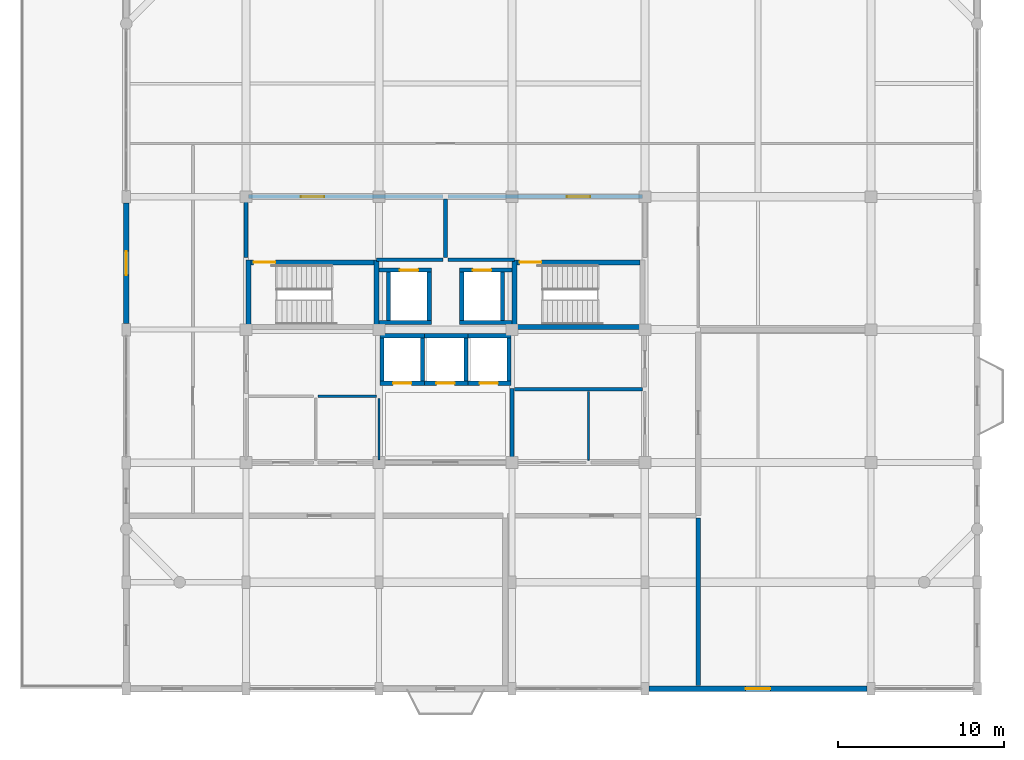
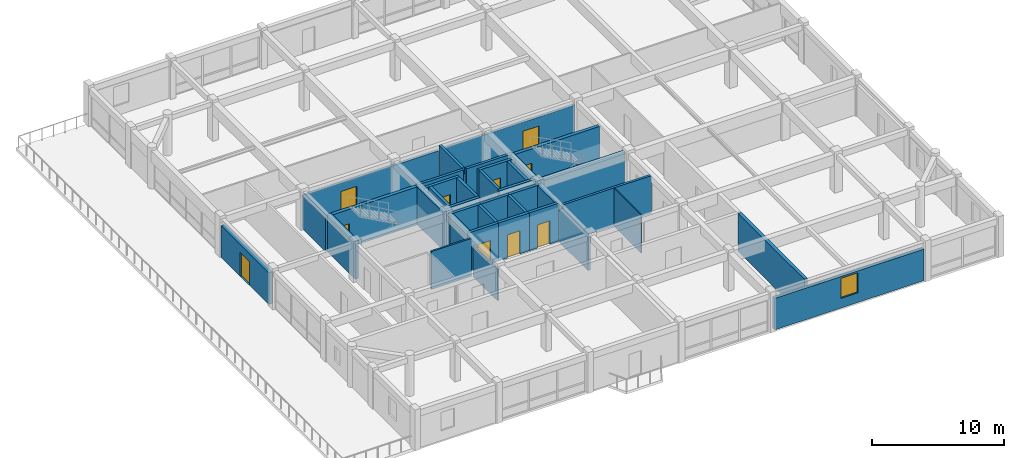
# One storey, part 10 of 13: 38 walls, 10 doors, 1 window, 11 openings.
"""IFC4 building model written with IfcOpenShell, lengths in metres."""

import ifcopenshell
import ifcopenshell.guid

model = None  # the IFC model being written
_history = None  # IfcOwnerHistory: only IFC2X3 demands one
_inside = {}  # id of a spatial element -> (the spatial element, [elements in it])
_under = {}  # id of a project, library or spatial element -> (it, [spatial elements below it])
_declared = {}  # id of a project -> (the project, [libraries it declares])
_typed = {}  # id of a type object -> (the type object, [elements of that type])
_made_of = {}  # id of a material, layer set ... -> (it, [elements and type objects made of it])


def new_model(schema):
    """Start an empty IFC model of exactly this schema.

    Asked for "IFC4X3", IfcOpenShell would pick the latest addendum, in which some entities
    have other attributes; the version numbers below select the first issue.
    IFC2X3 requires an IfcOwnerHistory on every rooted entity: one is made here for all.
    """
    global model, _history
    if schema == "IFC4X3":
        model = ifcopenshell.file(schema_version=(4, 3, 0, 0))
    else:
        model = ifcopenshell.file(schema=schema)
    _inside.clear()
    _under.clear()
    _declared.clear()
    _typed.clear()
    _made_of.clear()
    _history = None
    if model.schema == "IFC2X3":
        org = make("IfcOrganization", Name="unknown")
        user = make(
            "IfcPersonAndOrganization",
            ThePerson=make("IfcPerson", FamilyName="unknown"),
            TheOrganization=org,
        )
        app = make(
            "IfcApplication",
            ApplicationDeveloper=org,
            Version="unknown",
            ApplicationFullName="unknown",
            ApplicationIdentifier="unknown",
        )
        _history = make(
            "IfcOwnerHistory",
            OwningUser=user,
            OwningApplication=app,
            ChangeAction="ADDED",
            CreationDate=0,
        )
    return model


def make(cls, **values):
    """One entity of the class cls with the attributes given. An attribute that is None is left unset."""
    return model.create_entity(
        cls, **{name: value for name, value in values.items() if value is not None}
    )


def rooted(cls, **values):
    """An entity with a GlobalId (a new one), such as an element, a storey or a relation."""
    return make(cls, GlobalId=ifcopenshell.guid.new(), OwnerHistory=_history, **values)


def si_unit(unit_type, name, prefix=None):
    """IfcSIUnit, for example si_unit("LENGTHUNIT", "METRE", prefix="MILLI")."""
    return make("IfcSIUnit", UnitType=unit_type, Prefix=prefix, Name=name)


def assignment(units):
    """IfcUnitAssignment: the units of a project."""
    return None if units is None else make("IfcUnitAssignment", Units=units)


def point(xyz):
    """IfcCartesianPoint."""
    return None if xyz is None else make("IfcCartesianPoint", Coordinates=xyz)


def direction(xyz):
    """IfcDirection."""
    return None if xyz is None else make("IfcDirection", DirectionRatios=xyz)


def frame(location, z_axis=None, x_axis=None):
    """IfcAxis2Placement3D, a coordinate frame: its origin and axes. An axis left out is left unset."""
    return make(
        "IfcAxis2Placement3D",
        Location=point(location),
        Axis=direction(z_axis),
        RefDirection=direction(x_axis),
    )


def frame_2d(location, x_axis=None):
    """IfcAxis2Placement2D, a coordinate frame in the plane: its origin and x axis."""
    return make(
        "IfcAxis2Placement2D", Location=point(location), RefDirection=direction(x_axis)
    )


def origin():
    """The frame at (0, 0, 0) with its axes left unset."""
    return frame((0.0, 0.0, 0.0))


def place(relative_to, where):
    """IfcLocalPlacement: puts the frame where relative to a parent placement (None: the world)."""
    return make(
        "IfcLocalPlacement", PlacementRelTo=relative_to, RelativePlacement=where
    )


def context(
    kind, dimensions, precision=None, world=None, true_north=None, identifier=None
):
    """IfcGeometricRepresentationContext, for example the 3D "Model" context."""
    return make(
        "IfcGeometricRepresentationContext",
        ContextIdentifier=identifier,
        ContextType=kind,
        CoordinateSpaceDimension=dimensions,
        Precision=precision,
        WorldCoordinateSystem=world,
        TrueNorth=true_north,
    )


def subcontext(parent, identifier, kind, view, scale=None):
    """IfcGeometricRepresentationSubContext, for example "Body" below "Model"."""
    return make(
        "IfcGeometricRepresentationSubContext",
        ContextIdentifier=identifier,
        ContextType=kind,
        ParentContext=parent,
        TargetScale=scale,
        TargetView=view,
    )


def project(units=None, contexts=None):
    """IfcProject with its units and contexts."""
    return rooted(
        "IfcProject",
        Name="project",
        RepresentationContexts=contexts,
        UnitsInContext=assignment(units),
    )


def spatial(cls, under=None, at=None, **own):
    """A site, building, storey or space (cls), placed at a placement, below another one or the project."""
    s = rooted(cls, ObjectPlacement=at, **own)
    if under is not None:
        _under.setdefault(under.id(), (under, []))[1].append(s)
    return s


def profile(cls, at=None, kind="AREA", **sizes):
    """A parametric profile (cls). Its sizes go by their IFC names, for example OverallWidth=200.0."""
    return make(cls, ProfileType=kind, Position=at, **sizes)


def rectangle(**sizes):
    """IfcRectangleProfileDef."""
    return profile("IfcRectangleProfileDef", **sizes)


def extrude(swept, where, along, depth):
    """IfcExtrudedAreaSolid: the profile swept, set in the frame where, extruded along a direction by depth."""
    return make(
        "IfcExtrudedAreaSolid",
        SweptArea=swept,
        Position=where,
        ExtrudedDirection=direction(along),
        Depth=depth,
    )


def shape(context_of_items, identifier, shape_type, items):
    """IfcShapeRepresentation: the items that make up one representation, for example the "Body"."""
    return make(
        "IfcShapeRepresentation",
        ContextOfItems=context_of_items,
        RepresentationIdentifier=identifier,
        RepresentationType=shape_type,
        Items=items,
    )


def material(Name=None, Category=None):
    """IfcMaterial."""
    return make("IfcMaterial", Name=Name, Category=Category)


def layer(
    of_material, thickness, ventilated=None, Name=None, Category=None, Priority=None
):
    """IfcMaterialLayer: one layer of a wall or slab, of a material (None: an air gap)."""
    return make(
        "IfcMaterialLayer",
        Material=of_material,
        LayerThickness=thickness,
        IsVentilated=ventilated,
        Name=Name,
        Category=Category,
        Priority=Priority,
    )


def layer_set(layers, Name=None):
    """IfcMaterialLayerSet."""
    return make("IfcMaterialLayerSet", MaterialLayers=layers, LayerSetName=Name)


def made_of(thing, what):
    """Note that an element or type object is made of a material, layer set ...; save() writes the relation."""
    if what is not None:
        _made_of.setdefault(what.id(), (what, []))[1].append(thing)
    return thing


def type_object(cls, material=None, **own):
    """A type object (cls), such as IfcWallType, which elements share."""
    return made_of(rooted(cls, **own), material)


def element(
    cls,
    number,
    at=None,
    inside=None,
    cuts=None,
    type_object=None,
    material=None,
    context=None,
    identifier="Body",
    shape_type=None,
    held_by="IfcProductDefinitionShape",
    body=None,
    shapes=None,
    **own,
):
    """One element of the class cls, such as IfcWall. Its Tag is "e" and its number.

    at: its placement. inside: the storey or other place that contains it. cuts: it is an
    opening in that element (IfcRelVoidsElement). A single representation is given by context,
    identifier, shape_type and body (its items); several are given by shapes. held_by: the class
    of the entity that holds the representations. save() writes the other relations.
    """
    e = rooted(cls, Tag="e%d" % number, ObjectPlacement=at, **own)
    if body is not None:
        shapes = [shape(context, identifier, shape_type, body)]
    if shapes is not None:
        e.Representation = make(held_by, Representations=shapes)
    if inside is not None:
        _inside.setdefault(inside.id(), (inside, []))[1].append(e)
    if cuts is not None:
        rooted(
            "IfcRelVoidsElement", RelatingBuildingElement=cuts, RelatedOpeningElement=e
        )
    if type_object is not None:
        _typed.setdefault(type_object.id(), (type_object, []))[1].append(e)
    return made_of(e, material)


def fill(opening, filler):
    """IfcRelFillsElement: the door or window that sits in an opening."""
    return rooted(
        "IfcRelFillsElement",
        RelatingOpeningElement=opening,
        RelatedBuildingElement=filler,
    )


def aggregate(whole, parts):
    """IfcRelAggregates: a whole, such as a stair, and the parts it consists of."""
    return rooted("IfcRelAggregates", RelatingObject=whole, RelatedObjects=parts)


def save(model, path):
    """Write the relations noted so far, then the file.

    IfcRelAggregates (storeys below a building ...), IfcRelContainedInSpatialStructure (elements
    in a storey), IfcRelDefinesByType, IfcRelAssociatesMaterial and IfcRelDeclares: one each for
    every whole, place, type object, material and project.
    """
    for whole, parts in _under.values():
        aggregate(whole, parts)
    for where, things in _inside.values():
        rooted(
            "IfcRelContainedInSpatialStructure",
            RelatedElements=things,
            RelatingStructure=where,
        )
    for kind, things in _typed.values():
        rooted("IfcRelDefinesByType", RelatedObjects=things, RelatingType=kind)
    for what, things in _made_of.values():
        rooted("IfcRelAssociatesMaterial", RelatedObjects=things, RelatingMaterial=what)
    for by, libraries in _declared.values():
        rooted("IfcRelDeclares", RelatingContext=by, RelatedDefinitions=libraries)
    model.write(path)


model = new_model("IFC4")

# Units and contexts
model_context = context("Model", 3, precision=1e-05, world=origin(), true_north=direction((0.0, 1.0)))
body_context = subcontext(model_context, "Body", "Model", "MODEL_VIEW")
ifc_project = project(units=[si_unit("LENGTHUNIT", "METRE"), si_unit("AREAUNIT", "SQUARE_METRE"), si_unit("VOLUMEUNIT", "CUBIC_METRE"), si_unit("PLANEANGLEUNIT", "RADIAN"), si_unit("MASSUNIT", "GRAM", prefix="KILO")], contexts=[model_context])

# Site, building, storey
site_placement = place(None, origin())
site = spatial("IfcSite", under=ifc_project, at=site_placement, CompositionType="ELEMENT")
building_placement = place(site_placement, origin())
building = spatial("IfcBuilding", under=site, at=building_placement, Name="Vellmiral Cinema and Media Centre", CompositionType="ELEMENT")
storey_placement = place(building_placement, frame((0.0, 0.0, 39.5)))
storey = spatial("IfcBuildingStorey", under=building, at=storey_placement, Name="L09", CompositionType="ELEMENT", Elevation=39.5)

# Walls
ifc_material_1 = material(Name="Calcium-Silicate Masonry Blockwork", Category="masonry")
ifc_layer_1 = layer(ifc_material_1, 0.10009765625, Name="Calcium-Silicate Masonry Blockwork", Category="masonry")
ifc_material_2 = material(Name="Mineral Wool Acoustic Insulation", Category="insulation")
ifc_layer_2 = layer(ifc_material_2, 0.090087890625, Name="Mineral Wool Acoustic Insulation", Category="insulation")
ifc_layer_3 = layer(ifc_material_1, 0.10009765625, Name="Calcium-Silicate Masonry Blockwork", Category="masonry")
ifc_layer_set_1 = layer_set([ifc_layer_1, ifc_layer_2, ifc_layer_3], Name="Calcium-Silicate Masonry Blockwork")
wall_type_1 = type_object("IfcWallType", Name="WL-AC-290", PredefinedType="SOLIDWALL", material=ifc_layer_set_1)
wall_1_placement = place(storey_placement, frame((151.199951171875, 65.77490234375, 0.0), z_axis=(0.0, 0.0, 1.0), x_axis=(0.0, 1.0, 0.0)))
element("IfcWall", 1, at=wall_1_placement, inside=storey, type_object=wall_type_1, Name="Podcast Recording Studio South Wall E", PredefinedType="SOLIDWALL", context=body_context, shape_type="SweptSolid", body=[
    extrude(rectangle(XDim=10.085205078125, YDim=0.2900390625, at=frame_2d((5.04248046875, 0.0))), origin(), (0.0, 0.0, 1.0), 3.52001953125),
])
ifc_material_3 = material(Name="Concrete C40/50", Category="concrete")
ifc_layer_4 = layer(ifc_material_3, 0.2099609375, Name="Concrete C40/50")
ifc_layer_set_2 = layer_set([ifc_layer_4], Name="Concrete C40/50")
wall_type_2 = type_object("IfcWallType", Name="WL-COMP-210", PredefinedType="SOLIDWALL", material=ifc_layer_set_2)
wall_2_placement = place(storey_placement, frame((140.139892578125, 83.60009765625, 0.0), z_axis=(0.0, 0.0, 1.0), x_axis=(1.0, 0.0, 0.0)))
element("IfcWall", 2, at=wall_2_placement, inside=storey, type_object=wall_type_2, Name="Mechanical Riser and Duct Room Wall S", PredefinedType="SOLIDWALL", context=body_context, shape_type="SweptSolid", body=[
    extrude(rectangle(XDim=7.72021484375, YDim=0.2099609375, at=frame_2d((3.860107421875, 0.0))), origin(), (0.0, 0.0, 1.0), 3.52001953125),
])
ifc_material_4 = material(Name="Concrete C40/50", Category="concrete")
ifc_layer_5 = layer(ifc_material_4, 0.300048828125, Name="Concrete C40/50")
ifc_layer_set_3 = layer_set([ifc_layer_5], Name="Concrete C40/50")
wall_type_3 = type_object("IfcWallType", Name="WL-CORE-300", PredefinedType="SHEAR", material=ifc_layer_set_3)
for number, where, z_axis, x_axis, name in (
    (3, (124.14990234375, 87.199951171875, 0.0), (0.0, 0.0, 1.0), (0.0, 1.0, 0.0), "Stair Core Wall ST-T1 L09-W"),
    (4, (131.85009765625, 87.199951171875, 0.0), (0.0, 0.0, 1.0), (0.0, 1.0, 0.0), "Stair Core Wall ST-T1 L09-E"),
):
    element("IfcWall", number, at=place(storey_placement, frame(where, z_axis=z_axis, x_axis=x_axis)), inside=storey, type_object=wall_type_3, Name=name, PredefinedType="SHEAR", context=body_context, shape_type="SweptSolid", body=[
        extrude(rectangle(XDim=4.199951171875, YDim=0.300048828125, at=frame_2d((2.10009765625, 0.0))), origin(), (0.0, 0.0, 1.0), 3.52001953125),
    ])

# Wall, opening, door
wall_3_placement = place(storey_placement, frame((124.300048828125, 91.25, 0.0), z_axis=(0.0, 0.0, 1.0), x_axis=(1.0, 0.0, 0.0)))
wall_3 = element("IfcWall", 5, at=wall_3_placement, inside=storey, type_object=wall_type_3, Name="Stair Core Wall ST-T1 L09-N", PredefinedType="SHEAR", context=body_context, shape_type="SweptSolid", body=[
    extrude(rectangle(XDim=7.39990234375, YDim=0.300048828125, at=frame_2d((3.699951171875, 0.0))), origin(), (0.0, 0.0, 1.0), 3.52001953125),
])
opening_1_placement = place(wall_3_placement, frame((0.159912109375, 0.0, 0.0)))
opening_1 = element("IfcOpeningElement", 6, at=opening_1_placement, cuts=wall_3, Name="Opening D-FD30A", PredefinedType="OPENING", context=body_context, shape_type="SweptSolid", body=[
    extrude(rectangle(XDim=1.300048828125, YDim=2.179931640625, at=frame_2d((0.64990234375, 1.08984375))), frame((0.0, 0.162109375, 0.0), z_axis=(0.0, -1.0, 0.0), x_axis=(1.0, 0.0, 0.0)), (0.0, 0.0, 1.0), 0.323974609375),
])
ifc_material_5 = material(Name="Steel Stair Fire Door", Category="steel")
door_type_1 = type_object("IfcDoorType", Name="DR-FD30-1300x2180", OperationType="NOTDEFINED", PredefinedType="DOOR", material=ifc_material_5)
door_1_placement = place(opening_1_placement, frame((1.300048828125, 0.0, 0.0), z_axis=(0.0, 0.0, 1.0), x_axis=(-1.0, 0.0, 0.0)))
door_1 = element("IfcDoor", 7, at=door_1_placement, inside=storey, type_object=door_type_1, Name="Protected Stair Door ST-T1 L09", OperationType="SINGLE_SWING_RIGHT", OverallHeight=2.179931640625, OverallWidth=1.300048828125, PredefinedType="DOOR", context=body_context, shape_type="SweptSolid", body=[
    extrude(rectangle(XDim=1.300048828125, YDim=2.179931640625, at=frame_2d((0.64990234375, 1.08984375))), frame((0.0, 0.02490234375, 0.0), z_axis=(0.0, -1.0, 0.0), x_axis=(1.0, 0.0, 0.0)), (0.0, 0.0, 1.0), 0.050048828125),
])
fill(opening_1, door_1)

# Walls
wall_4_placement = place(storey_placement, frame((140.14990234375, 87.199951171875, 0.0), z_axis=(0.0, 0.0, 1.0), x_axis=(0.0, 1.0, 0.0)))
element("IfcWall", 8, at=wall_4_placement, inside=storey, type_object=wall_type_3, Name="Stair Core Wall ST-T2 L09-W", PredefinedType="SHEAR", context=body_context, shape_type="SweptSolid", body=[
    extrude(rectangle(XDim=4.199951171875, YDim=0.300048828125, at=frame_2d((2.10009765625, 0.0))), origin(), (0.0, 0.0, 1.0), 3.52001953125),
])
wall_5_placement = place(storey_placement, frame((140.300048828125, 87.35009765625, 0.0), z_axis=(0.0, 0.0, 1.0), x_axis=(1.0, 0.0, 0.0)))
element("IfcWall", 9, at=wall_5_placement, inside=storey, type_object=wall_type_3, Name="Stair Core Wall ST-T2 L09-S", PredefinedType="SHEAR", context=body_context, shape_type="SweptSolid", body=[
    extrude(rectangle(XDim=7.39990234375, YDim=0.300048828125, at=frame_2d((3.699951171875, 0.0))), origin(), (0.0, 0.0, 1.0), 3.52001953125),
])

# Wall, opening, door
wall_6_placement = place(storey_placement, frame((140.300048828125, 91.25, 0.0), z_axis=(0.0, 0.0, 1.0), x_axis=(1.0, 0.0, 0.0)))
wall_6 = element("IfcWall", 10, at=wall_6_placement, inside=storey, type_object=wall_type_3, Name="Stair Core Wall ST-T2 L09-N", PredefinedType="SHEAR", context=body_context, shape_type="SweptSolid", body=[
    extrude(rectangle(XDim=7.39990234375, YDim=0.300048828125, at=frame_2d((3.699951171875, 0.0))), origin(), (0.0, 0.0, 1.0), 3.52001953125),
])
opening_2_placement = place(wall_6_placement, frame((0.159912109375, 0.0, 0.0)))
opening_2 = element("IfcOpeningElement", 11, at=opening_2_placement, cuts=wall_6, Name="Opening D-FD30A", PredefinedType="OPENING", context=body_context, shape_type="SweptSolid", body=[
    extrude(rectangle(XDim=1.300048828125, YDim=2.179931640625, at=frame_2d((0.64990234375, 1.08984375))), frame((0.0, 0.162109375, 0.0), z_axis=(0.0, -1.0, 0.0), x_axis=(1.0, 0.0, 0.0)), (0.0, 0.0, 1.0), 0.323974609375),
])
door_2_placement = place(opening_2_placement, frame((1.300048828125, 0.0, 0.0), z_axis=(0.0, 0.0, 1.0), x_axis=(-1.0, 0.0, 0.0)))
door_2 = element("IfcDoor", 12, at=door_2_placement, inside=storey, type_object=door_type_1, Name="Protected Stair Door ST-T2 L09", OperationType="SINGLE_SWING_RIGHT", OverallHeight=2.179931640625, OverallWidth=1.300048828125, PredefinedType="DOOR", context=body_context, shape_type="SweptSolid", body=[
    extrude(rectangle(XDim=1.300048828125, YDim=2.179931640625, at=frame_2d((0.64990234375, 1.08984375))), frame((0.0, 0.02490234375, 0.0), z_axis=(0.0, -1.0, 0.0), x_axis=(1.0, 0.0, 0.0)), (0.0, 0.0, 1.0), 0.050048828125),
])
fill(opening_2, door_2)

# Wall, opening, window
ifc_material_6 = material(Name="Polychrome Glazed Ceramic Cladding", Category="masonry")
ifc_layer_6 = layer(ifc_material_6, 0.320068359375, Name="Polychrome Glazed Ceramic Cladding")
ifc_layer_set_4 = layer_set([ifc_layer_6], Name="Polychrome Glazed Ceramic Cladding")
wall_type_4 = type_object("IfcWallType", Name="WL-EXT-BRICK-320", PredefinedType="SOLIDWALL", material=ifc_layer_set_4)
wall_7_placement = place(storey_placement, frame((148.25, 65.60009765625, 0.0), z_axis=(0.0, 0.0, 1.0), x_axis=(1.0, 0.0, 0.0)))
wall_7 = element("IfcWall", 13, at=wall_7_placement, inside=storey, type_object=wall_type_4, Name="Exterior Facade Wall L09-005", PredefinedType="SOLIDWALL", context=body_context, shape_type="SweptSolid", body=[
    extrude(rectangle(XDim=13.10009765625, YDim=0.320068359375, at=frame_2d((6.550048828125, 0.0))), origin(), (0.0, 0.0, 1.0), 2.925048828125),
])
opening_3_placement = place(wall_7_placement, frame((5.800048828125, 0.0, 0.89990234375)))
opening_3 = element("IfcOpeningElement", 14, at=opening_3_placement, cuts=wall_7, Name="Opening WN-06", PredefinedType="OPENING", context=body_context, shape_type="SweptSolid", body=[
    extrude(rectangle(XDim=1.5, YDim=1.85009765625, at=frame_2d((0.75, 0.925048828125))), frame((0.0, 0.171875, 0.0), z_axis=(0.0, -1.0, 0.0), x_axis=(1.0, 0.0, 0.0)), (0.0, 0.0, 1.0), 0.343994140625),
])
ifc_material_7 = material(Name="Thermally Broken Aluminium Triple Glazing", Category="aluminium")
window_type = type_object("IfcWindowType", Name="WN-1500x1850", PartitioningType="SINGLE_PANEL", PredefinedType="WINDOW", material=ifc_material_7)
window_placement = place(opening_3_placement, origin())
window = element("IfcWindow", 15, at=window_placement, inside=storey, type_object=window_type, Name="Window L09-005", OverallHeight=1.85009765625, OverallWidth=1.5, PartitioningType="SINGLE_PANEL", PredefinedType="WINDOW", context=body_context, shape_type="SweptSolid", body=[
    extrude(rectangle(XDim=1.5, YDim=1.85009765625, at=frame_2d((0.75, 0.925048828125))), frame((0.0, 0.030029296875, 0.0), z_axis=(0.0, -1.0, 0.0), x_axis=(1.0, 0.0, 0.0)), (0.0, 0.0, 1.0), 0.06005859375),
])
fill(opening_3, window)

# Wall, opening, door
wall_8_placement = place(storey_placement, frame((116.800048828125, 94.824951171875, 0.0), z_axis=(0.0, 0.0, 1.0), x_axis=(0.0, -1.0, 0.0)))
wall_8 = element("IfcWall", 16, at=wall_8_placement, inside=storey, type_object=wall_type_4, Name="Exterior Facade Wall L09-025", PredefinedType="SOLIDWALL", context=body_context, shape_type="SweptSolid", body=[
    extrude(rectangle(XDim=7.25, YDim=0.320068359375, at=frame_2d((3.625, 0.0))), origin(), (0.0, 0.0, 1.0), 2.93994140625),
])
opening_4_placement = place(wall_8_placement, frame((2.89990234375, 0.0, 0.0)))
opening_4 = element("IfcOpeningElement", 17, at=opening_4_placement, cuts=wall_8, Name="Opening DE-05", PredefinedType="OPENING", context=body_context, shape_type="SweptSolid", body=[
    extrude(rectangle(XDim=1.449951171875, YDim=2.199951171875, at=frame_2d((0.72509765625, 1.10009765625))), frame((0.0, 0.171875, 0.0), z_axis=(0.0, -1.0, 0.0), x_axis=(1.0, 0.0, 0.0)), (0.0, 0.0, 1.0), 0.343994140625),
])
ifc_material_8 = material(Name="Thermally Broken Glazed Aluminium and Bronze Door", Category="aluminium")
door_type_2 = type_object("IfcDoorType", Name="DR-TER-1450x2200", OperationType="DOUBLE_DOOR_SINGLE_SWING", PredefinedType="DOOR", material=ifc_material_8)
door_3_placement = place(opening_4_placement, frame((1.449951171875, 0.0, 0.0), z_axis=(0.0, 0.0, 1.0), x_axis=(-1.0, 0.0, 0.0)))
door_3 = element("IfcDoor", 18, at=door_3_placement, inside=storey, type_object=door_type_2, Name="Podcast Garden Setback Terrace Door", OperationType="DOUBLE_DOOR_SINGLE_SWING", OverallHeight=2.199951171875, OverallWidth=1.449951171875, PredefinedType="DOOR", context=body_context, shape_type="SweptSolid", body=[
    extrude(rectangle(XDim=1.449951171875, YDim=2.199951171875, at=frame_2d((0.72509765625, 1.10009765625))), frame((0.0, 0.02490234375, 0.0), z_axis=(0.0, -1.0, 0.0), x_axis=(1.0, 0.0, 0.0)), (0.0, 0.0, 1.0), 0.050048828125),
])
fill(opening_4, door_3)

# Wall
ifc_material_9 = material(Name="Concrete C40/50", Category="concrete")
ifc_layer_7 = layer(ifc_material_9, 0.22998046875, Name="Concrete C40/50")
ifc_layer_set_5 = layer_set([ifc_layer_7], Name="Concrete C40/50")
wall_type_5 = type_object("IfcWallType", Name="WL-FFL-230", PredefinedType="SOLIDWALL", material=ifc_layer_set_5)
wall_9_placement = place(storey_placement, frame((131.840087890625, 91.39990234375, 0.0), z_axis=(0.0, 0.0, 1.0), x_axis=(1.0, 0.0, 0.0)))
element("IfcWall", 19, at=wall_9_placement, inside=storey, type_object=wall_type_5, Name="Firefighting Lobby West Wall S", PredefinedType="SOLIDWALL", context=body_context, shape_type="SweptSolid", body=[
    extrude(rectangle(XDim=4.02001953125, YDim=0.22998046875, at=frame_2d((2.010009765625, 0.0))), origin(), (0.0, 0.0, 1.0), 3.52001953125),
])

# Wall, opening, door
wall_10_placement = place(storey_placement, frame((124.139892578125, 95.199951171875, 0.0), z_axis=(0.0, 0.0, 1.0), x_axis=(1.0, 0.0, 0.0)))
wall_10 = element("IfcWall", 20, at=wall_10_placement, inside=storey, type_object=wall_type_5, Name="Firefighting Lobby West Wall N", PredefinedType="SOLIDWALL", context=body_context, shape_type="SweptSolid", body=[
    extrude(rectangle(XDim=11.72021484375, YDim=0.22998046875, at=frame_2d((5.860107421875, 0.0))), origin(), (0.0, 0.0, 1.0), 2.985107421875),
])
opening_5_placement = place(wall_10_placement, frame((3.159912109375, 0.0, 0.0)))
opening_5 = element("IfcOpeningElement", 21, at=opening_5_placement, cuts=wall_10, Name="Opening D-FD60B", PredefinedType="OPENING", context=body_context, shape_type="SweptSolid", body=[
    extrude(rectangle(XDim=1.39990234375, YDim=2.199951171875, at=frame_2d((0.699951171875, 1.10009765625))), frame((0.0, 0.126953125, 0.0), z_axis=(0.0, -1.0, 0.0), x_axis=(1.0, 0.0, 0.0)), (0.0, 0.0, 1.0), 0.25390625),
])
ifc_material_10 = material(Name="Steel Fire Door", Category="steel")
door_type_3 = type_object("IfcDoorType", Name="DR-FD60-1400x2200", OperationType="NOTDEFINED", PredefinedType="DOOR", material=ifc_material_10)
door_4_placement = place(opening_5_placement, frame((1.39990234375, 0.0, 0.0), z_axis=(0.0, 0.0, 1.0), x_axis=(-1.0, 0.0, 0.0)))
door_4 = element("IfcDoor", 22, at=door_4_placement, inside=storey, type_object=door_type_3, Name="Firefighting Lobby West Door", OperationType="SINGLE_SWING_RIGHT", OverallHeight=2.199951171875, OverallWidth=1.39990234375, PredefinedType="DOOR", context=body_context, shape_type="SweptSolid", body=[
    extrude(rectangle(XDim=1.39990234375, YDim=2.199951171875, at=frame_2d((0.699951171875, 1.10009765625))), frame((0.0, 0.02490234375, 0.0), z_axis=(0.0, -1.0, 0.0), x_axis=(1.0, 0.0, 0.0)), (0.0, 0.0, 1.0), 0.050048828125),
])
fill(opening_5, door_4)

# Walls
wall_11_placement = place(storey_placement, frame((124.0, 91.5400390625, 0.0), z_axis=(0.0, 0.0, 1.0), x_axis=(0.0, 1.0, 0.0)))
element("IfcWall", 23, at=wall_11_placement, inside=storey, type_object=wall_type_5, Name="Firefighting Lobby West Wall W", PredefinedType="SOLIDWALL", context=body_context, shape_type="SweptSolid", body=[
    extrude(rectangle(XDim=3.52001953125, YDim=0.22998046875, at=frame_2d((1.760009765625, 0.0))), origin(), (0.0, 0.0, 1.0), 3.0849609375),
])
wall_12_placement = place(storey_placement, frame((136.0, 91.5400390625, 0.0), z_axis=(0.0, 0.0, 1.0), x_axis=(0.0, 1.0, 0.0)))
element("IfcWall", 24, at=wall_12_placement, inside=storey, type_object=wall_type_5, Name="Firefighting Lobby West Wall E", PredefinedType="SOLIDWALL", context=body_context, shape_type="SweptSolid", body=[
    extrude(rectangle(XDim=3.52001953125, YDim=0.22998046875, at=frame_2d((1.760009765625, 0.0))), origin(), (0.0, 0.0, 1.0), 3.52001953125),
])
wall_13_placement = place(storey_placement, frame((136.139892578125, 91.39990234375, 0.0), z_axis=(0.0, 0.0, 1.0), x_axis=(1.0, 0.0, 0.0)))
element("IfcWall", 25, at=wall_13_placement, inside=storey, type_object=wall_type_5, Name="Firefighting Lobby East Wall S", PredefinedType="SOLIDWALL", context=body_context, shape_type="SweptSolid", body=[
    extrude(rectangle(XDim=4.02001953125, YDim=0.22998046875, at=frame_2d((2.010009765625, 0.0))), origin(), (0.0, 0.0, 1.0), 3.52001953125),
])

# Wall, opening, door
wall_14_placement = place(storey_placement, frame((136.139892578125, 95.199951171875, 0.0), z_axis=(0.0, 0.0, 1.0), x_axis=(1.0, 0.0, 0.0)))
wall_14 = element("IfcWall", 26, at=wall_14_placement, inside=storey, type_object=wall_type_5, Name="Firefighting Lobby East Wall N", PredefinedType="SOLIDWALL", context=body_context, shape_type="SweptSolid", body=[
    extrude(rectangle(XDim=11.72021484375, YDim=0.22998046875, at=frame_2d((5.860107421875, 0.0))), origin(), (0.0, 0.0, 1.0), 3.034912109375),
])
opening_6_placement = place(wall_14_placement, frame((7.159912109375, 0.0, 0.0)))
opening_6 = element("IfcOpeningElement", 27, at=opening_6_placement, cuts=wall_14, Name="Opening D-FD60B", PredefinedType="OPENING", context=body_context, shape_type="SweptSolid", body=[
    extrude(rectangle(XDim=1.39990234375, YDim=2.199951171875, at=frame_2d((0.699951171875, 1.10009765625))), frame((0.0, 0.126953125, 0.0), z_axis=(0.0, -1.0, 0.0), x_axis=(1.0, 0.0, 0.0)), (0.0, 0.0, 1.0), 0.25390625),
])
door_5_placement = place(opening_6_placement, frame((1.39990234375, 0.0, 0.0), z_axis=(0.0, 0.0, 1.0), x_axis=(-1.0, 0.0, 0.0)))
door_5 = element("IfcDoor", 28, at=door_5_placement, inside=storey, type_object=door_type_3, Name="Firefighting Lobby East Door", OperationType="SINGLE_SWING_LEFT", OverallHeight=2.199951171875, OverallWidth=1.39990234375, PredefinedType="DOOR", context=body_context, shape_type="SweptSolid", body=[
    extrude(rectangle(XDim=1.39990234375, YDim=2.199951171875, at=frame_2d((0.699951171875, 1.10009765625))), frame((0.0, 0.02490234375, 0.0), z_axis=(0.0, -1.0, 0.0), x_axis=(1.0, 0.0, 0.0)), (0.0, 0.0, 1.0), 0.050048828125),
])
fill(opening_6, door_5)

# Walls
wall_15_placement = place(storey_placement, frame((140.0, 79.340087890625, 0.0), z_axis=(0.0, 0.0, 1.0), x_axis=(0.0, 1.0, 0.0)))
element("IfcWall", 29, at=wall_15_placement, inside=storey, type_object=wall_type_5, Name="Tower Passenger Lift Lobby Wall E", PredefinedType="SOLIDWALL", context=body_context, shape_type="SweptSolid", body=[
    extrude(rectangle(XDim=4.31982421875, YDim=0.22998046875, at=frame_2d((2.159912109375, 0.0))), origin(), (0.0, 0.0, 1.0), 3.0849609375),
])
ifc_material_11 = material(Name="Gypsum Plasterboard")
ifc_layer_8 = layer(ifc_material_11, 0.02490234375, Name="Gypsum Plasterboard", Category="gypsum")
ifc_material_12 = material(Name="Mineral Wool Acoustic Insulation", Category="insulation")
ifc_layer_9 = layer(ifc_material_12, 0.06005859375, Name="Mineral Wool Acoustic Insulation", Category="insulation")
ifc_layer_10 = layer(ifc_material_11, 0.02490234375, Name="Gypsum Plasterboard", Category="gypsum")
ifc_layer_set_6 = layer_set([ifc_layer_8, ifc_layer_9, ifc_layer_10], Name="Gypsum Plasterboard")
wall_type_6 = type_object("IfcWallType", Name="WL-PART-110", PredefinedType="PARTITIONING", material=ifc_layer_set_6)
wall_16_placement = place(storey_placement, frame((144.60009765625, 79.340087890625, 0.0), z_axis=(0.0, 0.0, 1.0), x_axis=(0.0, 1.0, 0.0)))
element("IfcWall", 30, at=wall_16_placement, inside=storey, type_object=wall_type_6, Name="Staff Tea Pantry Wall E", PredefinedType="PARTITIONING", context=body_context, shape_type="SweptSolid", body=[
    extrude(rectangle(XDim=4.119873046875, YDim=0.110107421875, at=frame_2d((2.06005859375, 0.0))), origin(), (0.0, 0.0, 1.0), 3.52001953125),
])
ifc_material_13 = material(Name="Gypsum Plasterboard")
ifc_layer_11 = layer(ifc_material_13, 0.02490234375, Name="Gypsum Plasterboard", Category="gypsum")
ifc_material_14 = material(Name="Mineral Wool Acoustic Insulation", Category="insulation")
ifc_layer_12 = layer(ifc_material_14, 0.080078125, Name="Mineral Wool Acoustic Insulation", Category="insulation")
ifc_layer_13 = layer(ifc_material_13, 0.02490234375, Name="Gypsum Plasterboard", Category="gypsum")
ifc_layer_set_7 = layer_set([ifc_layer_11, ifc_layer_12, ifc_layer_13], Name="Gypsum Plasterboard")
wall_type_7 = type_object("IfcWallType", Name="WL-PART-130", PredefinedType="PARTITIONING", material=ifc_layer_set_7)
wall_17_placement = place(storey_placement, frame((132.0, 79.340087890625, 0.0), z_axis=(0.0, 0.0, 1.0), x_axis=(0.0, 1.0, 0.0)))
element("IfcWall", 31, at=wall_17_placement, inside=storey, type_object=wall_type_7, Name="Accessible WC Wall E", PredefinedType="PARTITIONING", context=body_context, shape_type="SweptSolid", body=[
    extrude(rectangle(XDim=3.719970703125, YDim=0.1298828125, at=frame_2d((1.85986328125, 0.0))), origin(), (0.0, 0.0, 1.0), 2.885009765625),
])
ifc_material_15 = material(Name="Gypsum Plasterboard")
ifc_layer_14 = layer(ifc_material_15, 0.02490234375, Name="Gypsum Plasterboard", Category="gypsum")
ifc_material_16 = material(Name="Mineral Wool Acoustic Insulation", Category="insulation")
ifc_layer_15 = layer(ifc_material_16, 0.10009765625, Name="Mineral Wool Acoustic Insulation", Category="insulation")
ifc_layer_16 = layer(ifc_material_15, 0.02490234375, Name="Gypsum Plasterboard", Category="gypsum")
ifc_layer_set_8 = layer_set([ifc_layer_14, ifc_layer_15, ifc_layer_16], Name="Gypsum Plasterboard")
wall_type_8 = type_object("IfcWallType", Name="WL-PART-150", PredefinedType="PARTITIONING", material=ifc_layer_set_8)
wall_18_placement = place(storey_placement, frame((128.340087890625, 83.199951171875, 0.0), z_axis=(0.0, 0.0, 1.0), x_axis=(1.0, 0.0, 0.0)))
element("IfcWall", 32, at=wall_18_placement, inside=storey, type_object=wall_type_8, Name="Accessible WC Wall N", PredefinedType="PARTITIONING", context=body_context, shape_type="SweptSolid", body=[
    extrude(rectangle(XDim=3.52001953125, YDim=0.14990234375, at=frame_2d((1.760009765625, 0.0))), origin(), (0.0, 0.0, 1.0), 3.52001953125),
])
ifc_material_17 = material(Name="Concrete C40/50", Category="concrete")
ifc_layer_17 = layer(ifc_material_17, 0.25, Name="Concrete C40/50")
ifc_layer_set_9 = layer_set([ifc_layer_17], Name="Concrete C40/50")
wall_type_9 = type_object("IfcWallType", Name="WL-SHAFT-250", PredefinedType="SHEAR", material=ifc_layer_set_9)
wall_19_placement = place(storey_placement, frame((132.0, 87.625, 0.0), z_axis=(0.0, 0.0, 1.0), x_axis=(1.0, 0.0, 0.0)))
element("IfcWall", 33, at=wall_19_placement, inside=storey, type_object=wall_type_9, Name="Lift Shaft Wall LF-FF1 L09-S", PredefinedType="SHEAR", context=body_context, shape_type="SweptSolid", body=[
    extrude(rectangle(XDim=3.14990234375, YDim=0.25, at=frame_2d((1.574951171875, 0.0))), origin(), (0.0, 0.0, 1.0), 3.52001953125),
])

# Wall, opening, door
wall_20_placement = place(storey_placement, frame((132.0, 90.77490234375, 0.0), z_axis=(0.0, 0.0, 1.0), x_axis=(1.0, 0.0, 0.0)))
wall_20 = element("IfcWall", 34, at=wall_20_placement, inside=storey, type_object=wall_type_9, Name="Lift Shaft Wall LF-FF1 L09-N", PredefinedType="SHEAR", context=body_context, shape_type="SweptSolid", body=[
    extrude(rectangle(XDim=3.14990234375, YDim=0.25, at=frame_2d((1.574951171875, 0.0))), origin(), (0.0, 0.0, 1.0), 3.52001953125),
])
opening_7_placement = place(wall_20_placement, frame((1.25, 0.0, 0.0)))
opening_7 = element("IfcOpeningElement", 35, at=opening_7_placement, cuts=wall_20, Name="Opening LD-01", PredefinedType="OPENING", context=body_context, shape_type="SweptSolid", body=[
    extrude(rectangle(XDim=1.10009765625, YDim=2.14990234375, at=frame_2d((0.550048828125, 1.074951171875))), frame((0.0, 0.136962890625, 0.0), z_axis=(0.0, -1.0, 0.0), x_axis=(1.0, 0.0, 0.0)), (0.0, 0.0, 1.0), 0.27392578125),
])
ifc_material_18 = material(Name="Stainless Steel Lift Landing Door", Category="steel")
door_type_4 = type_object("IfcDoorType", Name="DR-LIFT-1100x2150", OperationType="SLIDING_TO_LEFT", PredefinedType="DOOR", material=ifc_material_18)
door_6_placement = place(opening_7_placement, origin())
door_6 = element("IfcDoor", 36, at=door_6_placement, inside=storey, type_object=door_type_4, Name="Lift Landing Door LF-FF1 L09", OperationType="SLIDING_TO_LEFT", OverallHeight=2.14990234375, OverallWidth=1.10009765625, PredefinedType="DOOR", context=body_context, shape_type="SweptSolid", body=[
    extrude(rectangle(XDim=1.10009765625, YDim=2.14990234375, at=frame_2d((0.550048828125, 1.074951171875))), frame((0.0, 0.02490234375, 0.0), z_axis=(0.0, -1.0, 0.0), x_axis=(1.0, 0.0, 0.0)), (0.0, 0.0, 1.0), 0.050048828125),
])
fill(opening_7, door_6)

# Walls
for number, where, z_axis, x_axis, name in (
    (37, (132.574951171875, 87.75, 0.0), (0.0, 0.0, 1.0), (0.0, 1.0, 0.0), "Lift Shaft Wall LF-FF1 L09-W"),
    (38, (135.02490234375, 87.75, 0.0), (0.0, 0.0, 1.0), (0.0, 1.0, 0.0), "Lift Shaft Wall LF-FF1 L09-E"),
):
    element("IfcWall", number, at=place(storey_placement, frame(where, z_axis=z_axis, x_axis=x_axis)), inside=storey, type_object=wall_type_9, Name=name, PredefinedType="SHEAR", context=body_context, shape_type="SweptSolid", body=[
        extrude(rectangle(XDim=2.89990234375, YDim=0.25, at=frame_2d((1.449951171875, 0.0))), origin(), (0.0, 0.0, 1.0), 3.52001953125),
    ])
wall_21_placement = place(storey_placement, frame((136.85009765625, 87.625, 0.0), z_axis=(0.0, 0.0, 1.0), x_axis=(1.0, 0.0, 0.0)))
element("IfcWall", 39, at=wall_21_placement, inside=storey, type_object=wall_type_9, Name="Lift Shaft Wall LF-FF2 L09-S", PredefinedType="SHEAR", context=body_context, shape_type="SweptSolid", body=[
    extrude(rectangle(XDim=3.14990234375, YDim=0.25, at=frame_2d((1.574951171875, 0.0))), origin(), (0.0, 0.0, 1.0), 3.52001953125),
])

# Wall, opening, door
wall_22_placement = place(storey_placement, frame((136.85009765625, 90.77490234375, 0.0), z_axis=(0.0, 0.0, 1.0), x_axis=(1.0, 0.0, 0.0)))
wall_22 = element("IfcWall", 40, at=wall_22_placement, inside=storey, type_object=wall_type_9, Name="Lift Shaft Wall LF-FF2 L09-N", PredefinedType="SHEAR", context=body_context, shape_type="SweptSolid", body=[
    extrude(rectangle(XDim=3.14990234375, YDim=0.25, at=frame_2d((1.574951171875, 0.0))), origin(), (0.0, 0.0, 1.0), 3.52001953125),
])
opening_8_placement = place(wall_22_placement, frame((0.800048828125, 0.0, 0.0)))
opening_8 = element("IfcOpeningElement", 41, at=opening_8_placement, cuts=wall_22, Name="Opening LD-01", PredefinedType="OPENING", context=body_context, shape_type="SweptSolid", body=[
    extrude(rectangle(XDim=1.10009765625, YDim=2.14990234375, at=frame_2d((0.550048828125, 1.074951171875))), frame((0.0, 0.136962890625, 0.0), z_axis=(0.0, -1.0, 0.0), x_axis=(1.0, 0.0, 0.0)), (0.0, 0.0, 1.0), 0.27392578125),
])
door_7_placement = place(opening_8_placement, origin())
door_7 = element("IfcDoor", 42, at=door_7_placement, inside=storey, type_object=door_type_4, Name="Lift Landing Door LF-FF2 L09", OperationType="SLIDING_TO_LEFT", OverallHeight=2.14990234375, OverallWidth=1.10009765625, PredefinedType="DOOR", context=body_context, shape_type="SweptSolid", body=[
    extrude(rectangle(XDim=1.10009765625, YDim=2.14990234375, at=frame_2d((0.550048828125, 1.074951171875))), frame((0.0, 0.02490234375, 0.0), z_axis=(0.0, -1.0, 0.0), x_axis=(1.0, 0.0, 0.0)), (0.0, 0.0, 1.0), 0.050048828125),
])
fill(opening_8, door_7)

# Walls
for number, where, z_axis, x_axis, name in (
    (43, (136.97509765625, 87.75, 0.0), (0.0, 0.0, 1.0), (0.0, 1.0, 0.0), "Lift Shaft Wall LF-FF2 L09-W"),
    (44, (139.425048828125, 87.75, 0.0), (0.0, 0.0, 1.0), (0.0, 1.0, 0.0), "Lift Shaft Wall LF-FF2 L09-E"),
):
    element("IfcWall", number, at=place(storey_placement, frame(where, z_axis=z_axis, x_axis=x_axis)), inside=storey, type_object=wall_type_9, Name=name, PredefinedType="SHEAR", context=body_context, shape_type="SweptSolid", body=[
        extrude(rectangle(XDim=2.89990234375, YDim=0.25, at=frame_2d((1.449951171875, 0.0))), origin(), (0.0, 0.0, 1.0), 3.52001953125),
    ])

# Wall, opening, door
wall_23_placement = place(storey_placement, frame((132.050048828125, 83.97509765625, 0.0), z_axis=(0.0, 0.0, 1.0), x_axis=(1.0, 0.0, 0.0)))
wall_23 = element("IfcWall", 45, at=wall_23_placement, inside=storey, type_object=wall_type_9, Name="Lift Shaft Wall LF-P1 L09-S", PredefinedType="SHEAR", context=body_context, shape_type="SweptSolid", body=[
    extrude(rectangle(XDim=2.699951171875, YDim=0.25, at=frame_2d((1.35009765625, 0.0))), origin(), (0.0, 0.0, 1.0), 3.52001953125),
])
opening_9_placement = place(wall_23_placement, frame((0.800048828125, 0.0, 0.0)))
opening_9 = element("IfcOpeningElement", 46, at=opening_9_placement, cuts=wall_23, Name="Opening LD-01", PredefinedType="OPENING", context=body_context, shape_type="SweptSolid", body=[
    extrude(rectangle(XDim=1.10009765625, YDim=2.14990234375, at=frame_2d((0.550048828125, 1.074951171875))), frame((0.0, 0.136962890625, 0.0), z_axis=(0.0, -1.0, 0.0), x_axis=(1.0, 0.0, 0.0)), (0.0, 0.0, 1.0), 0.27392578125),
])
door_8_placement = place(opening_9_placement, origin())
door_8 = element("IfcDoor", 47, at=door_8_placement, inside=storey, type_object=door_type_4, Name="Lift Landing Door LF-P1 L09", OperationType="SLIDING_TO_LEFT", OverallHeight=2.14990234375, OverallWidth=1.10009765625, PredefinedType="DOOR", context=body_context, shape_type="SweptSolid", body=[
    extrude(rectangle(XDim=1.10009765625, YDim=2.14990234375, at=frame_2d((0.550048828125, 1.074951171875))), frame((0.0, 0.02490234375, 0.0), z_axis=(0.0, -1.0, 0.0), x_axis=(1.0, 0.0, 0.0)), (0.0, 0.0, 1.0), 0.050048828125),
])
fill(opening_9, door_8)

# Walls
wall_24_placement = place(storey_placement, frame((132.050048828125, 86.824951171875, 0.0), z_axis=(0.0, 0.0, 1.0), x_axis=(1.0, 0.0, 0.0)))
element("IfcWall", 48, at=wall_24_placement, inside=storey, type_object=wall_type_9, Name="Lift Shaft Wall LF-P1 L09-N", PredefinedType="SHEAR", context=body_context, shape_type="SweptSolid", body=[
    extrude(rectangle(XDim=2.699951171875, YDim=0.25, at=frame_2d((1.35009765625, 0.0))), origin(), (0.0, 0.0, 1.0), 3.52001953125),
])
for number, where, z_axis, x_axis, name in (
    (49, (132.175048828125, 84.10009765625, 0.0), (0.0, 0.0, 1.0), (0.0, 1.0, 0.0), "Lift Shaft Wall LF-P1 L09-W"),
    (50, (134.625, 84.10009765625, 0.0), (0.0, 0.0, 1.0), (0.0, 1.0, 0.0), "Lift Shaft Wall LF-P1 L09-E"),
):
    element("IfcWall", number, at=place(storey_placement, frame(where, z_axis=z_axis, x_axis=x_axis)), inside=storey, type_object=wall_type_9, Name=name, PredefinedType="SHEAR", context=body_context, shape_type="SweptSolid", body=[
        extrude(rectangle(XDim=2.599853515625, YDim=0.25, at=frame_2d((1.2998046875, 0.0))), origin(), (0.0, 0.0, 1.0), 3.52001953125),
    ])

# Wall, opening, door
wall_25_placement = place(storey_placement, frame((134.64990234375, 83.97509765625, 0.0), z_axis=(0.0, 0.0, 1.0), x_axis=(1.0, 0.0, 0.0)))
wall_25 = element("IfcWall", 51, at=wall_25_placement, inside=storey, type_object=wall_type_9, Name="Lift Shaft Wall LF-P2 L09-S", PredefinedType="SHEAR", context=body_context, shape_type="SweptSolid", body=[
    extrude(rectangle(XDim=2.7001953125, YDim=0.25, at=frame_2d((1.35009765625, 0.0))), origin(), (0.0, 0.0, 1.0), 3.52001953125),
])
opening_10_placement = place(wall_25_placement, frame((0.800048828125, 0.0, 0.0)))
opening_10 = element("IfcOpeningElement", 52, at=opening_10_placement, cuts=wall_25, Name="Opening LD-01", PredefinedType="OPENING", context=body_context, shape_type="SweptSolid", body=[
    extrude(rectangle(XDim=1.10009765625, YDim=2.14990234375, at=frame_2d((0.550048828125, 1.074951171875))), frame((0.0, 0.136962890625, 0.0), z_axis=(0.0, -1.0, 0.0), x_axis=(1.0, 0.0, 0.0)), (0.0, 0.0, 1.0), 0.27392578125),
])
door_9_placement = place(opening_10_placement, origin())
door_9 = element("IfcDoor", 53, at=door_9_placement, inside=storey, type_object=door_type_4, Name="Lift Landing Door LF-P2 L09", OperationType="SLIDING_TO_LEFT", OverallHeight=2.14990234375, OverallWidth=1.10009765625, PredefinedType="DOOR", context=body_context, shape_type="SweptSolid", body=[
    extrude(rectangle(XDim=1.10009765625, YDim=2.14990234375, at=frame_2d((0.550048828125, 1.074951171875))), frame((0.0, 0.02490234375, 0.0), z_axis=(0.0, -1.0, 0.0), x_axis=(1.0, 0.0, 0.0)), (0.0, 0.0, 1.0), 0.050048828125),
])
fill(opening_10, door_9)

# Walls
wall_26_placement = place(storey_placement, frame((134.64990234375, 86.824951171875, 0.0), z_axis=(0.0, 0.0, 1.0), x_axis=(1.0, 0.0, 0.0)))
element("IfcWall", 54, at=wall_26_placement, inside=storey, type_object=wall_type_9, Name="Lift Shaft Wall LF-P2 L09-N", PredefinedType="SHEAR", context=body_context, shape_type="SweptSolid", body=[
    extrude(rectangle(XDim=2.7001953125, YDim=0.25, at=frame_2d((1.35009765625, 0.0))), origin(), (0.0, 0.0, 1.0), 3.52001953125),
])
wall_27_placement = place(storey_placement, frame((137.22509765625, 84.10009765625, 0.0), z_axis=(0.0, 0.0, 1.0), x_axis=(0.0, 1.0, 0.0)))
element("IfcWall", 55, at=wall_27_placement, inside=storey, type_object=wall_type_9, Name="Lift Shaft Wall LF-P2 L09-E", PredefinedType="SHEAR", context=body_context, shape_type="SweptSolid", body=[
    extrude(rectangle(XDim=2.599853515625, YDim=0.25, at=frame_2d((1.2998046875, 0.0))), origin(), (0.0, 0.0, 1.0), 3.52001953125),
])

# Wall, opening, door
wall_28_placement = place(storey_placement, frame((137.25, 83.97509765625, 0.0), z_axis=(0.0, 0.0, 1.0), x_axis=(1.0, 0.0, 0.0)))
wall_28 = element("IfcWall", 56, at=wall_28_placement, inside=storey, type_object=wall_type_9, Name="Lift Shaft Wall LF-P3 L09-S", PredefinedType="SHEAR", context=body_context, shape_type="SweptSolid", body=[
    extrude(rectangle(XDim=2.699951171875, YDim=0.25, at=frame_2d((1.35009765625, 0.0))), origin(), (0.0, 0.0, 1.0), 3.52001953125),
])
opening_11_placement = place(wall_28_placement, frame((0.800048828125, 0.0, 0.0)))
opening_11 = element("IfcOpeningElement", 57, at=opening_11_placement, cuts=wall_28, Name="Opening LD-01", PredefinedType="OPENING", context=body_context, shape_type="SweptSolid", body=[
    extrude(rectangle(XDim=1.10009765625, YDim=2.14990234375, at=frame_2d((0.550048828125, 1.074951171875))), frame((0.0, 0.136962890625, 0.0), z_axis=(0.0, -1.0, 0.0), x_axis=(1.0, 0.0, 0.0)), (0.0, 0.0, 1.0), 0.27392578125),
])
door_10_placement = place(opening_11_placement, origin())
door_10 = element("IfcDoor", 58, at=door_10_placement, inside=storey, type_object=door_type_4, Name="Lift Landing Door LF-P3 L09", OperationType="SLIDING_TO_LEFT", OverallHeight=2.14990234375, OverallWidth=1.10009765625, PredefinedType="DOOR", context=body_context, shape_type="SweptSolid", body=[
    extrude(rectangle(XDim=1.10009765625, YDim=2.14990234375, at=frame_2d((0.550048828125, 1.074951171875))), frame((0.0, 0.02490234375, 0.0), z_axis=(0.0, -1.0, 0.0), x_axis=(1.0, 0.0, 0.0)), (0.0, 0.0, 1.0), 0.050048828125),
])
fill(opening_11, door_10)

# Walls
wall_29_placement = place(storey_placement, frame((137.25, 86.824951171875, 0.0), z_axis=(0.0, 0.0, 1.0), x_axis=(1.0, 0.0, 0.0)))
element("IfcWall", 59, at=wall_29_placement, inside=storey, type_object=wall_type_9, Name="Lift Shaft Wall LF-P3 L09-N", PredefinedType="SHEAR", context=body_context, shape_type="SweptSolid", body=[
    extrude(rectangle(XDim=2.699951171875, YDim=0.25, at=frame_2d((1.35009765625, 0.0))), origin(), (0.0, 0.0, 1.0), 3.52001953125),
])
wall_30_placement = place(storey_placement, frame((139.824951171875, 84.10009765625, 0.0), z_axis=(0.0, 0.0, 1.0), x_axis=(0.0, 1.0, 0.0)))
element("IfcWall", 60, at=wall_30_placement, inside=storey, type_object=wall_type_9, Name="Lift Shaft Wall LF-P3 L09-E", PredefinedType="SHEAR", context=body_context, shape_type="SweptSolid", body=[
    extrude(rectangle(XDim=2.599853515625, YDim=0.25, at=frame_2d((1.2998046875, 0.0))), origin(), (0.0, 0.0, 1.0), 3.52001953125),
])

save(model, "model.ifc")
